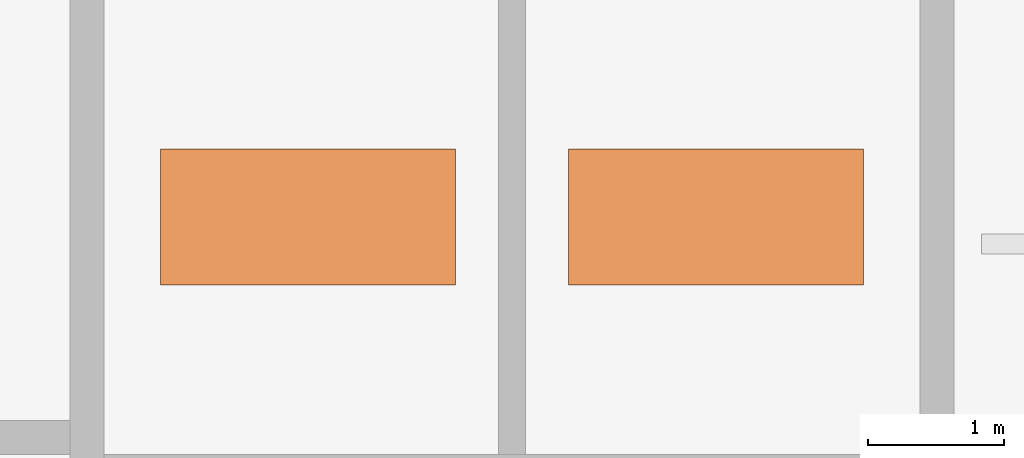
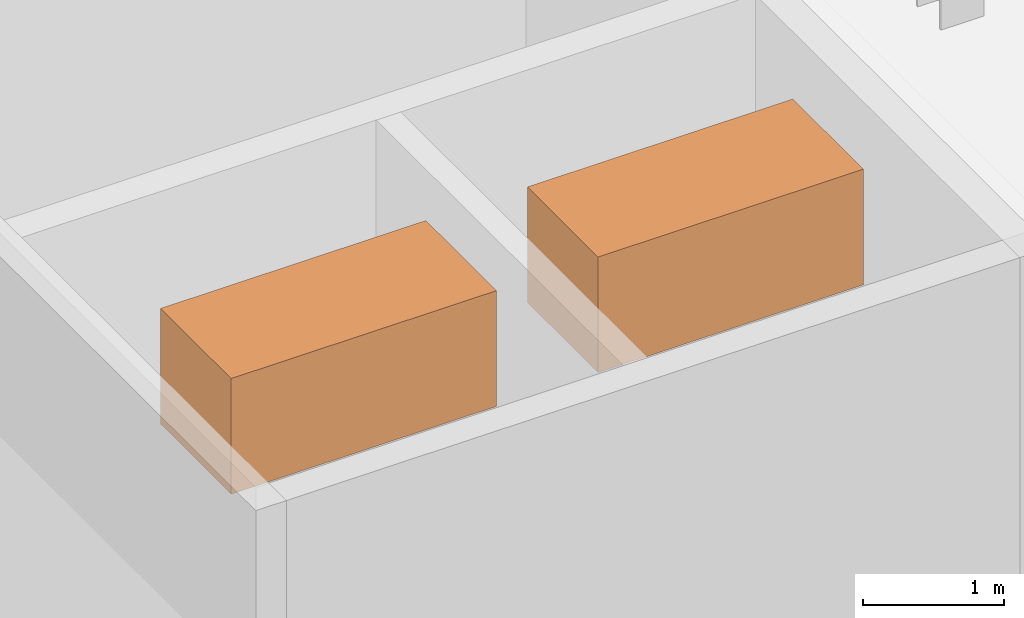
# One storey, part 6 of 6: 2 proxies.
"""IFC4 building model written with IfcOpenShell, lengths in metres."""

from ifc_helpers import new_model, si_unit, direction, frame, origin, origin_2d, place, context, subcontext, project, spatial, rectangle, extrude, material, type_object, element, save


model = new_model("IFC4")

# Units and contexts
model_context = context("Model", 3, precision=1e-05, world=origin(), true_north=direction((0.0, 1.0)))
body_context = subcontext(model_context, "Body", "Model", "MODEL_VIEW")
ifc_project = project(units=[si_unit("LENGTHUNIT", "METRE"), si_unit("AREAUNIT", "SQUARE_METRE"), si_unit("VOLUMEUNIT", "CUBIC_METRE"), si_unit("PLANEANGLEUNIT", "RADIAN"), si_unit("MASSUNIT", "GRAM", prefix="KILO")], contexts=[model_context])

# Site, building, storey
site_placement = place(None, origin())
site = spatial("IfcSite", under=ifc_project, at=site_placement, CompositionType="ELEMENT")
building_placement = place(site_placement, origin())
building = spatial("IfcBuilding", under=site, at=building_placement, Name="Cinnabar Reach Civic Tower", CompositionType="ELEMENT")
storey_placement = place(building_placement, frame((0.0, 0.0, 298.0)))
storey = spatial("IfcBuildingStorey", under=building, at=storey_placement, Name="Roof", CompositionType="ELEMENT", Elevation=298.0)

# Proxies
ifc_material = material(Name="Steel", Category="steel")
building_element_proxy_type = type_object("IfcBuildingElementProxyType", Name="T1 lift machine", PredefinedType="USERDEFINED", material=ifc_material)
for number, where, z_axis, x_axis, name in (
    (1, (18.0, 40.25, 3.7), (0.0, 0.0, 1.0), (1.0, 0.0, 0.0), "T1-FF1 machine"),
    (2, (21.0, 40.25, 3.7), (0.0, 0.0, 1.0), (1.0, 0.0, 0.0), "T1-FF2 machine"),
):
    element("IfcBuildingElementProxy", number, at=place(storey_placement, frame(where, z_axis=z_axis, x_axis=x_axis)), inside=storey, type_object=building_element_proxy_type, Name=name, ObjectType="LIFT MACHINE", PredefinedType="USERDEFINED", context=body_context, shape_type="SweptSolid", body=[
        extrude(rectangle(XDim=2.17, YDim=1.0, at=origin_2d()), origin(), (0.0, 0.0, 1.0), 1.0),
    ])

save(model, "model.ifc")
